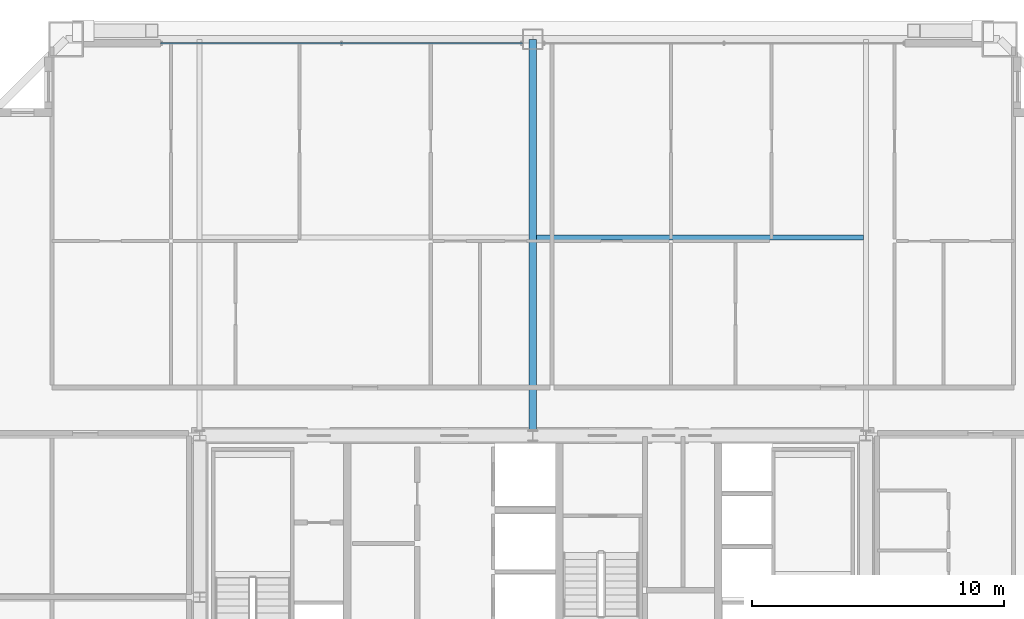
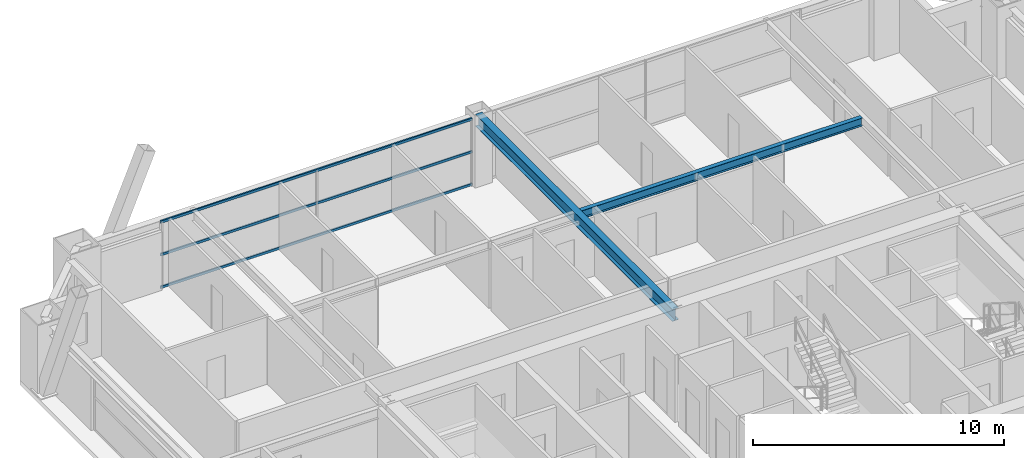
# One storey, part 35 of 45: 3 members, 2 beams, 1 element without a shape of its own.
"""IFC4 building model written with IfcOpenShell, lengths in metres."""

import ifcopenshell
import ifcopenshell.guid

model = None  # the IFC model being written
_history = None  # IfcOwnerHistory: only IFC2X3 demands one
_inside = {}  # id of a spatial element -> (the spatial element, [elements in it])
_under = {}  # id of a project, library or spatial element -> (it, [spatial elements below it])
_declared = {}  # id of a project -> (the project, [libraries it declares])
_typed = {}  # id of a type object -> (the type object, [elements of that type])
_made_of = {}  # id of a material, layer set ... -> (it, [elements and type objects made of it])


def new_model(schema):
    """Start an empty IFC model of exactly this schema.

    Asked for "IFC4X3", IfcOpenShell would pick the latest addendum, in which some entities
    have other attributes; the version numbers below select the first issue.
    IFC2X3 requires an IfcOwnerHistory on every rooted entity: one is made here for all.
    """
    global model, _history
    if schema == "IFC4X3":
        model = ifcopenshell.file(schema_version=(4, 3, 0, 0))
    else:
        model = ifcopenshell.file(schema=schema)
    _inside.clear()
    _under.clear()
    _declared.clear()
    _typed.clear()
    _made_of.clear()
    _history = None
    if model.schema == "IFC2X3":
        org = make("IfcOrganization", Name="unknown")
        user = make(
            "IfcPersonAndOrganization",
            ThePerson=make("IfcPerson", FamilyName="unknown"),
            TheOrganization=org,
        )
        app = make(
            "IfcApplication",
            ApplicationDeveloper=org,
            Version="unknown",
            ApplicationFullName="unknown",
            ApplicationIdentifier="unknown",
        )
        _history = make(
            "IfcOwnerHistory",
            OwningUser=user,
            OwningApplication=app,
            ChangeAction="ADDED",
            CreationDate=0,
        )
    return model


def make(cls, **values):
    """One entity of the class cls with the attributes given. An attribute that is None is left unset."""
    return model.create_entity(
        cls, **{name: value for name, value in values.items() if value is not None}
    )


def rooted(cls, **values):
    """An entity with a GlobalId (a new one), such as an element, a storey or a relation."""
    return make(cls, GlobalId=ifcopenshell.guid.new(), OwnerHistory=_history, **values)


def si_unit(unit_type, name, prefix=None):
    """IfcSIUnit, for example si_unit("LENGTHUNIT", "METRE", prefix="MILLI")."""
    return make("IfcSIUnit", UnitType=unit_type, Prefix=prefix, Name=name)


def assignment(units):
    """IfcUnitAssignment: the units of a project."""
    return None if units is None else make("IfcUnitAssignment", Units=units)


def point(xyz):
    """IfcCartesianPoint."""
    return None if xyz is None else make("IfcCartesianPoint", Coordinates=xyz)


def direction(xyz):
    """IfcDirection."""
    return None if xyz is None else make("IfcDirection", DirectionRatios=xyz)


def frame(location, z_axis=None, x_axis=None):
    """IfcAxis2Placement3D, a coordinate frame: its origin and axes. An axis left out is left unset."""
    return make(
        "IfcAxis2Placement3D",
        Location=point(location),
        Axis=direction(z_axis),
        RefDirection=direction(x_axis),
    )


def frame_2d(location, x_axis=None):
    """IfcAxis2Placement2D, a coordinate frame in the plane: its origin and x axis."""
    return make(
        "IfcAxis2Placement2D", Location=point(location), RefDirection=direction(x_axis)
    )


def origin():
    """The frame at (0, 0, 0) with its axes left unset."""
    return frame((0.0, 0.0, 0.0))


def origin_2d():
    """The frame at (0, 0) in the plane with its x axis left unset."""
    return frame_2d((0.0, 0.0))


def place(relative_to, where):
    """IfcLocalPlacement: puts the frame where relative to a parent placement (None: the world)."""
    return make(
        "IfcLocalPlacement", PlacementRelTo=relative_to, RelativePlacement=where
    )


def context(
    kind, dimensions, precision=None, world=None, true_north=None, identifier=None
):
    """IfcGeometricRepresentationContext, for example the 3D "Model" context."""
    return make(
        "IfcGeometricRepresentationContext",
        ContextIdentifier=identifier,
        ContextType=kind,
        CoordinateSpaceDimension=dimensions,
        Precision=precision,
        WorldCoordinateSystem=world,
        TrueNorth=true_north,
    )


def subcontext(parent, identifier, kind, view, scale=None):
    """IfcGeometricRepresentationSubContext, for example "Body" below "Model"."""
    return make(
        "IfcGeometricRepresentationSubContext",
        ContextIdentifier=identifier,
        ContextType=kind,
        ParentContext=parent,
        TargetScale=scale,
        TargetView=view,
    )


def project(units=None, contexts=None):
    """IfcProject with its units and contexts."""
    return rooted(
        "IfcProject",
        Name="project",
        RepresentationContexts=contexts,
        UnitsInContext=assignment(units),
    )


def spatial(cls, under=None, at=None, **own):
    """A site, building, storey or space (cls), placed at a placement, below another one or the project."""
    s = rooted(cls, ObjectPlacement=at, **own)
    if under is not None:
        _under.setdefault(under.id(), (under, []))[1].append(s)
    return s


def profile(cls, at=None, kind="AREA", **sizes):
    """A parametric profile (cls). Its sizes go by their IFC names, for example OverallWidth=200.0."""
    return make(cls, ProfileType=kind, Position=at, **sizes)


def hollow_rectangle(**sizes):
    """IfcRectangleHollowProfileDef."""
    return profile("IfcRectangleHollowProfileDef", **sizes)


def i_section(**sizes):
    """IfcIShapeProfileDef."""
    return profile("IfcIShapeProfileDef", **sizes)


def extrude(swept, where, along, depth):
    """IfcExtrudedAreaSolid: the profile swept, set in the frame where, extruded along a direction by depth."""
    return make(
        "IfcExtrudedAreaSolid",
        SweptArea=swept,
        Position=where,
        ExtrudedDirection=direction(along),
        Depth=depth,
    )


def shape(context_of_items, identifier, shape_type, items):
    """IfcShapeRepresentation: the items that make up one representation, for example the "Body"."""
    return make(
        "IfcShapeRepresentation",
        ContextOfItems=context_of_items,
        RepresentationIdentifier=identifier,
        RepresentationType=shape_type,
        Items=items,
    )


def source(mapping_origin, context_of_items, identifier, shape_type, items):
    """IfcRepresentationMap: a shape defined once, which mapped items show again and again."""
    return make(
        "IfcRepresentationMap",
        MappingOrigin=mapping_origin,
        MappedRepresentation=shape(context_of_items, identifier, shape_type, items),
    )


def transform(
    local_origin,
    x_axis=None,
    y_axis=None,
    z_axis=None,
    scale=None,
    scale2=None,
    scale3=None,
    uniform=True,
):
    """IfcCartesianTransformationOperator3D, or its non-uniform kind. x_axis, y_axis, z_axis: its Axis1, 2, 3."""
    if uniform:
        return make(
            "IfcCartesianTransformationOperator3D",
            Axis1=direction(x_axis),
            Axis2=direction(y_axis),
            LocalOrigin=point(local_origin),
            Scale=scale,
            Axis3=direction(z_axis),
        )
    return make(
        "IfcCartesianTransformationOperator3DnonUniform",
        Axis1=direction(x_axis),
        Axis2=direction(y_axis),
        LocalOrigin=point(local_origin),
        Scale=scale,
        Axis3=direction(z_axis),
        Scale2=scale2,
        Scale3=scale3,
    )


def mapped(mapping_source, mapping_target):
    """IfcMappedItem: shows the shape of a source again, moved by a transform."""
    return make(
        "IfcMappedItem", MappingSource=mapping_source, MappingTarget=mapping_target
    )


def material(Name=None, Category=None):
    """IfcMaterial."""
    return make("IfcMaterial", Name=Name, Category=Category)


def layer(
    of_material, thickness, ventilated=None, Name=None, Category=None, Priority=None
):
    """IfcMaterialLayer: one layer of a wall or slab, of a material (None: an air gap)."""
    return make(
        "IfcMaterialLayer",
        Material=of_material,
        LayerThickness=thickness,
        IsVentilated=ventilated,
        Name=Name,
        Category=Category,
        Priority=Priority,
    )


def layer_set(layers, Name=None):
    """IfcMaterialLayerSet."""
    return make("IfcMaterialLayerSet", MaterialLayers=layers, LayerSetName=Name)


def material_profile(
    of_material, cross_section, Name=None, Category=None, Priority=None
):
    """IfcMaterialProfile: a cross section and its material."""
    return make(
        "IfcMaterialProfile",
        Name=Name,
        Material=of_material,
        Profile=cross_section,
        Priority=Priority,
        Category=Category,
    )


def profile_set(profiles, Name=None, composite=None):
    """IfcMaterialProfileSet."""
    return make(
        "IfcMaterialProfileSet",
        Name=Name,
        MaterialProfiles=profiles,
        CompositeProfile=composite,
    )


def made_of(thing, what):
    """Note that an element or type object is made of a material, layer set ...; save() writes the relation."""
    if what is not None:
        _made_of.setdefault(what.id(), (what, []))[1].append(thing)
    return thing


def type_object(cls, material=None, **own):
    """A type object (cls), such as IfcWallType, which elements share."""
    return made_of(rooted(cls, **own), material)


def element(
    cls,
    number,
    at=None,
    inside=None,
    cuts=None,
    type_object=None,
    material=None,
    context=None,
    identifier="Body",
    shape_type=None,
    held_by="IfcProductDefinitionShape",
    body=None,
    shapes=None,
    **own,
):
    """One element of the class cls, such as IfcWall. Its Tag is "e" and its number.

    at: its placement. inside: the storey or other place that contains it. cuts: it is an
    opening in that element (IfcRelVoidsElement). A single representation is given by context,
    identifier, shape_type and body (its items); several are given by shapes. held_by: the class
    of the entity that holds the representations. save() writes the other relations.
    """
    e = rooted(cls, Tag="e%d" % number, ObjectPlacement=at, **own)
    if body is not None:
        shapes = [shape(context, identifier, shape_type, body)]
    if shapes is not None:
        e.Representation = make(held_by, Representations=shapes)
    if inside is not None:
        _inside.setdefault(inside.id(), (inside, []))[1].append(e)
    if cuts is not None:
        rooted(
            "IfcRelVoidsElement", RelatingBuildingElement=cuts, RelatedOpeningElement=e
        )
    if type_object is not None:
        _typed.setdefault(type_object.id(), (type_object, []))[1].append(e)
    return made_of(e, material)


def aggregate(whole, parts):
    """IfcRelAggregates: a whole, such as a stair, and the parts it consists of."""
    return rooted("IfcRelAggregates", RelatingObject=whole, RelatedObjects=parts)


def save(model, path):
    """Write the relations noted so far, then the file.

    IfcRelAggregates (storeys below a building ...), IfcRelContainedInSpatialStructure (elements
    in a storey), IfcRelDefinesByType, IfcRelAssociatesMaterial and IfcRelDeclares: one each for
    every whole, place, type object, material and project.
    """
    for whole, parts in _under.values():
        aggregate(whole, parts)
    for where, things in _inside.values():
        rooted(
            "IfcRelContainedInSpatialStructure",
            RelatedElements=things,
            RelatingStructure=where,
        )
    for kind, things in _typed.values():
        rooted("IfcRelDefinesByType", RelatedObjects=things, RelatingType=kind)
    for what, things in _made_of.values():
        rooted("IfcRelAssociatesMaterial", RelatedObjects=things, RelatingMaterial=what)
    for by, libraries in _declared.values():
        rooted("IfcRelDeclares", RelatingContext=by, RelatedDefinitions=libraries)
    model.write(path)


model = new_model("IFC4")

# Units and contexts
model_context = context("Model", 3, precision=1e-05, world=origin(), true_north=direction((0.0, 1.0)))
body_context = subcontext(model_context, "Body", "Model", "MODEL_VIEW")
ifc_project = project(units=[si_unit("LENGTHUNIT", "METRE"), si_unit("AREAUNIT", "SQUARE_METRE"), si_unit("VOLUMEUNIT", "CUBIC_METRE"), si_unit("PLANEANGLEUNIT", "RADIAN"), si_unit("MASSUNIT", "GRAM", prefix="KILO"), si_unit("THERMODYNAMICTEMPERATUREUNIT", "KELVIN"), si_unit("POWERUNIT", "WATT")], contexts=[model_context])

# Site, building, storey
site_placement = place(None, origin())
site = spatial("IfcSite", under=ifc_project, at=site_placement, CompositionType="ELEMENT")
building_placement = place(site_placement, origin())
building = spatial("IfcBuilding", under=site, at=building_placement, Name="Yuzanri Waterfront Tower", CompositionType="ELEMENT")
storey_placement = place(building_placement, frame((0.0, 0.0, 198.5)))
storey = spatial("IfcBuildingStorey", under=building, at=storey_placement, Name="L52", CompositionType="ELEMENT", Elevation=198.5)

# Beams
ifc_material_1 = material(Name="Steel Q355B", Category="steel")
ifc_material_profile_1 = material_profile(ifc_material_1, i_section(OverallWidth=0.199951171875, OverallDepth=0.39990234375, WebThickness=0.008056640625, FlangeThickness=0.012939453125, at=origin_2d()), Name="HN 400x200x8x13")
ifc_profile_set_1 = profile_set([ifc_material_profile_1], Name="Steel Q355B")
beam_type_1 = type_object("IfcBeamType", Name="Floor Joist Q355B HN 400x200", PredefinedType="JOIST", material=ifc_profile_set_1)
shared_shape_1 = source(origin(), body_context, "Body", "SweptSolid", [
    extrude(i_section(OverallWidth=0.199951171875, OverallDepth=0.39990234375, WebThickness=0.008056640625, FlangeThickness=0.012939453125, at=origin_2d()), origin(), (0.0, 0.0, 1.0), 12.9501953125),
])
beam_1_placement = place(storey_placement, frame((37.14990234375, 40.050048828125, 3.080078125), z_axis=(1.0, 0.0, 0.0), x_axis=(0.0, 1.0, 0.0)))
element("IfcBeam", 1, at=beam_1_placement, inside=storey, type_object=beam_type_1, Name="L52 North Bay Joist E", PredefinedType="JOIST", context=body_context, shape_type="MappedRepresentation", body=[
    mapped(shared_shape_1, transform((0.0, 0.0, 0.0), scale=1.0)),
])
ifc_material_2 = material(Name="Steel Q355B", Category="steel")
ifc_material_profile_2 = material_profile(ifc_material_2, i_section(OverallWidth=0.300048828125, OverallDepth=0.587890625, WebThickness=0.011962890625, FlangeThickness=0.02001953125, at=origin_2d()), Name="HM 588x300x12x20")
ifc_profile_set_2 = profile_set([ifc_material_profile_2], Name="Steel Q355B")
beam_type_2 = type_object("IfcBeamType", Name="Primary Floor Girder Q355B HM 588x300", PredefinedType="BEAM", material=ifc_profile_set_2)
shared_shape_2 = source(origin(), body_context, "Body", "SweptSolid", [
    extrude(i_section(OverallWidth=0.300048828125, OverallDepth=0.587890625, WebThickness=0.011962890625, FlangeThickness=0.02001953125, at=origin_2d()), origin(), (0.0, 0.0, 1.0), 15.699951171875),
])
beam_2_placement = place(storey_placement, frame((37.0, 32.199951171875, 2.986083984375), z_axis=(0.0, 1.0, 0.0), x_axis=(-1.0, 0.0, 0.0)))
element("IfcBeam", 2, at=beam_2_placement, inside=storey, type_object=beam_type_2, Name="L52 North Grid Girder", PredefinedType="BEAM", context=body_context, shape_type="MappedRepresentation", body=[
    mapped(shared_shape_2, transform((0.0, 0.0, 0.0), scale=1.0)),
])

# Curtain wall, members
ifc_material_3 = material(Name="Anodized Architectural Bronze", Category="metal")
ifc_layer = layer(ifc_material_3, 0.159912109375)
ifc_layer_set = layer_set([ifc_layer], Name="Anodized Architectural Bronze")
curtain_wall_type = type_object("IfcCurtainWallType", Name="Anodized Bronze Mid-Rise Residential Acoustic Unitized Curtain Wall 7200", PredefinedType="NOTDEFINED", material=ifc_layer_set)
curtain_wall_placement = place(storey_placement, origin())
curtain_wall = element("IfcCurtainWall", 3, at=curtain_wall_placement, inside=storey, type_object=curtain_wall_type, Name="L52 Curtain Wall CW-L52-NL", PredefinedType="NOTDEFINED")
ifc_material_4 = material(Name="Anodized Architectural Bronze", Category="metal")
ifc_material_profile_3 = material_profile(ifc_material_4, hollow_rectangle(XDim=0.06494140625, YDim=0.1201171875, WallThickness=0.00341796875, at=origin_2d()), Name="CWT 65x120")
ifc_profile_set_3 = profile_set([ifc_material_profile_3], Name="Anodized Architectural Bronze")
member_type = type_object("IfcMemberType", Name="Anodized Bronze Secondary Curtain-Wall Transom 65x120", PredefinedType="USERDEFINED", material=ifc_profile_set_3)
shared_shape_3 = source(origin(), body_context, "Body", "SweptSolid", [
    extrude(hollow_rectangle(XDim=0.06494140625, YDim=0.1201171875, WallThickness=0.00341796875, at=origin_2d()), origin(), (0.0, 0.0, 1.0), 14.35009765625),
])
member_1_placement = place(storey_placement, frame((22.25, 47.75, 0.050048828125), z_axis=(1.0, 0.0, 0.0), x_axis=(0.0, 1.0, 0.0)))
member_1 = element("IfcMember", 4, at=member_1_placement, type_object=member_type, Name="CW-L52-NL Transom 1", ObjectType="TRANSOM", PredefinedType="USERDEFINED", context=body_context, shape_type="MappedRepresentation", body=[
    mapped(shared_shape_3, transform((0.0, 0.0, 0.0), scale=1.0)),
])
member_2_placement = place(storey_placement, frame((22.25, 47.75, 1.639892578125), z_axis=(1.0, 0.0, 0.0), x_axis=(0.0, 1.0, 0.0)))
member_2 = element("IfcMember", 5, at=member_2_placement, type_object=member_type, Name="CW-L52-NL Transom 2", ObjectType="TRANSOM", PredefinedType="USERDEFINED", context=body_context, shape_type="MappedRepresentation", body=[
    mapped(shared_shape_3, transform((0.0, 0.0, 0.0), scale=1.0)),
])
member_3_placement = place(storey_placement, frame((22.25, 47.75, 3.22998046875), z_axis=(1.0, 0.0, 0.0), x_axis=(0.0, 1.0, 0.0)))
member_3 = element("IfcMember", 6, at=member_3_placement, type_object=member_type, Name="CW-L52-NL Transom 3", ObjectType="TRANSOM", PredefinedType="USERDEFINED", context=body_context, shape_type="MappedRepresentation", body=[
    mapped(shared_shape_3, transform((0.0, 0.0, 0.0), scale=1.0)),
])
aggregate(curtain_wall, [member_1, member_2, member_3])

save(model, "model.ifc")
